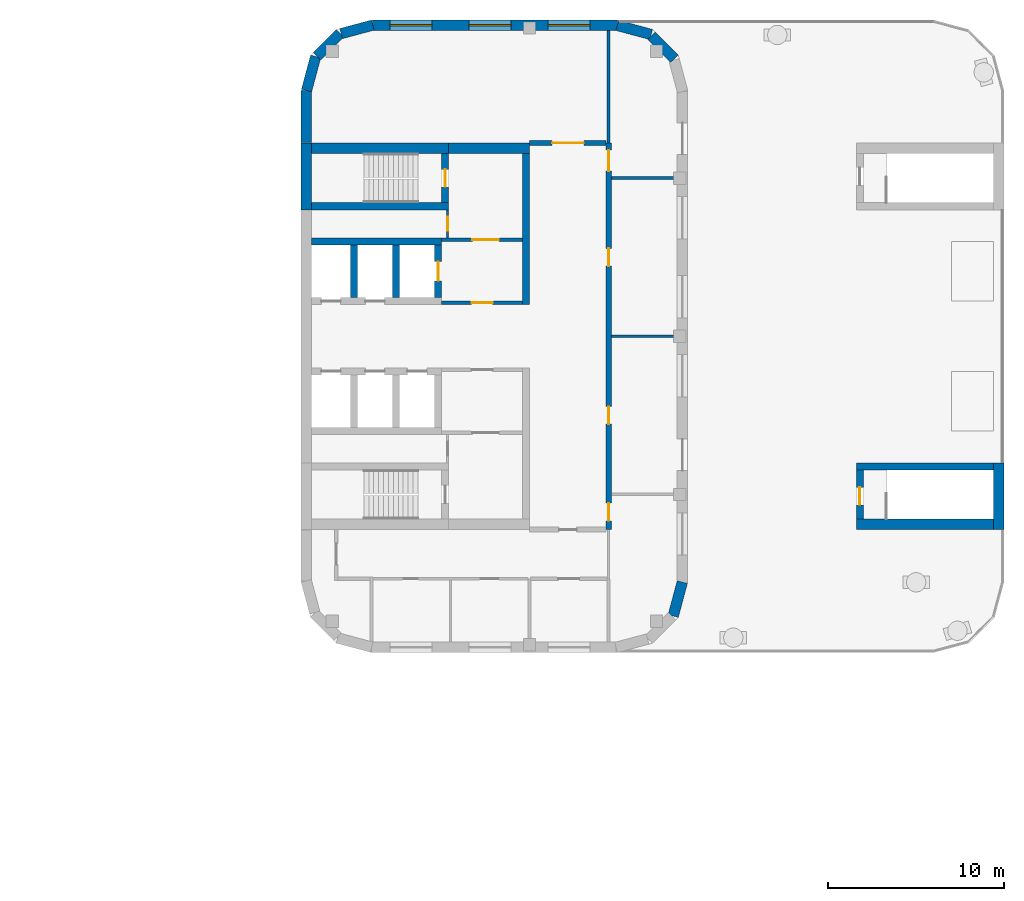
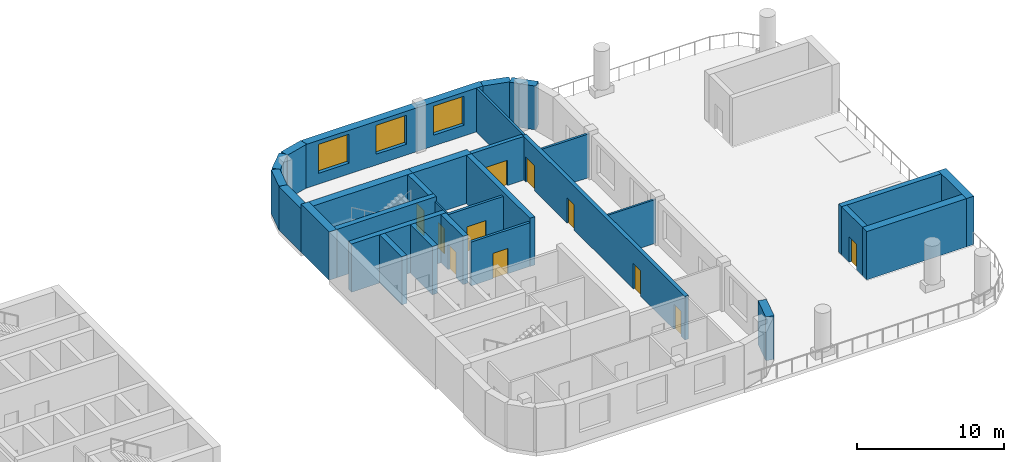
# One storey, part 8 of 14: 30 walls, 11 doors, 3 windows, 14 openings.
"""IFC4 building model written with IfcOpenShell, lengths in metres."""

from ifc_helpers import new_model, si_unit, direction, frame, frame_2d, origin, place, context, subcontext, project, spatial, rectangle, extrude, material, layer, layer_set, type_object, element, fill, save


model = new_model("IFC4")

# Units and contexts
model_context = context("Model", 3, precision=1e-05, world=origin(), true_north=direction((0.0, 1.0)))
body_context = subcontext(model_context, "Body", "Model", "MODEL_VIEW")
ifc_project = project(units=[si_unit("LENGTHUNIT", "METRE"), si_unit("AREAUNIT", "SQUARE_METRE"), si_unit("VOLUMEUNIT", "CUBIC_METRE"), si_unit("PLANEANGLEUNIT", "RADIAN"), si_unit("MASSUNIT", "GRAM", prefix="KILO")], contexts=[model_context])

# Site, building, storey
site_placement = place(None, origin())
site = spatial("IfcSite", under=ifc_project, at=site_placement, CompositionType="ELEMENT")
building_placement = place(site_placement, origin())
building = spatial("IfcBuilding", under=site, at=building_placement, Name="Skarvind Civic Tower", CompositionType="ELEMENT")
storey_placement = place(building_placement, frame((0.0, 0.0, 89.0)))
storey = spatial("IfcBuildingStorey", under=building, at=storey_placement, Name="L20", CompositionType="ELEMENT", Elevation=89.0)

# Walls
ifc_material_1 = material(Name="Acoustic gypsum board on steel studs", Category="steel")
ifc_layer_1 = layer(ifc_material_1, 0.175048828125)
ifc_layer_set_1 = layer_set([ifc_layer_1], Name="ACOUSTIC MEETING-ROOM PARTITION 175")
wall_type_1 = type_object("IfcWallType", Name="ACOUSTIC MEETING-ROOM PARTITION 175", PredefinedType="PARTITIONING", material=ifc_layer_set_1)
wall_1_placement = place(storey_placement, frame((144.64990234375, 137.0, 0.0), z_axis=(0.0, 0.0, 1.0), x_axis=(1.0, 0.0, 0.0)))
element("IfcWall", 1, at=wall_1_placement, inside=storey, type_object=wall_type_1, Name="Partition 20.014", PredefinedType="PARTITIONING", context=body_context, shape_type="SweptSolid", body=[
    extrude(rectangle(XDim=3.75, YDim=0.175048828125, at=frame_2d((1.875, 0.0))), origin(), (0.0, 0.0, 1.0), 3.625),
])
wall_2_placement = place(storey_placement, frame((144.5, 145.39990234375, 0.0), z_axis=(0.0, 0.0, 1.0), x_axis=(0.0, -1.0, 0.0)))
element("IfcWall", 2, at=wall_2_placement, inside=storey, type_object=wall_type_1, Name="Partition 20.016", PredefinedType="PARTITIONING", context=body_context, shape_type="SweptSolid", body=[
    extrude(rectangle(XDim=6.39990234375, YDim=0.175048828125, at=frame_2d((3.199951171875, 0.0))), origin(), (0.0, 0.0, 1.0), 3.625),
])

# Wall, opening, door
ifc_material_2 = material(Name="Fire-rated gypsum board on steel studs", Category="steel")
ifc_layer_2 = layer(ifc_material_2, 0.300048828125)
ifc_layer_set_2 = layer_set([ifc_layer_2], Name="CORRIDOR WALL 300")
wall_type_2 = type_object("IfcWallType", Name="CORRIDOR WALL 300", PredefinedType="PARTITIONING", material=ifc_layer_set_2)
wall_3_placement = place(storey_placement, frame((140.0, 139.0, 0.0), z_axis=(0.0, 0.0, 1.0), x_axis=(1.0, 0.0, 0.0)))
wall_3 = element("IfcWall", 3, at=wall_3_placement, inside=storey, type_object=wall_type_2, Name="Partition 20.008", PredefinedType="PARTITIONING", context=body_context, shape_type="SweptSolid", body=[
    extrude(rectangle(XDim=4.35009765625, YDim=0.300048828125, at=frame_2d((2.175048828125, 0.0))), origin(), (0.0, 0.0, 1.0), 3.625),
])
opening_1_placement = place(wall_3_placement, frame((1.283447265625, 0.0, 0.0)))
opening_1 = element("IfcOpeningElement", 4, at=opening_1_placement, cuts=wall_3, Name="Opening L20-D105", PredefinedType="OPENING", context=body_context, shape_type="SweptSolid", body=[
    extrude(rectangle(XDim=1.800048828125, YDim=2.10009765625, at=frame_2d((0.89990234375, 1.050048828125))), frame((0.0, 0.159912109375, 0.0), z_axis=(0.0, -1.0, 0.0), x_axis=(1.0, 0.0, 0.0)), (0.0, 0.0, 1.0), 0.320068359375),
])
ifc_material_3 = material(Name="Fire-rated timber door leaf", Category="wood")
door_type_1 = type_object("IfcDoorType", Name="FD4 1800x2100", OperationType="NOTDEFINED", PredefinedType="DOOR", material=ifc_material_3)
door_1_placement = place(opening_1_placement, origin())
door_1 = element("IfcDoor", 5, at=door_1_placement, inside=storey, type_object=door_type_1, Name="Door L20-D105", OperationType="DOUBLE_DOOR_SINGLE_SWING", OverallHeight=2.10009765625, OverallWidth=1.800048828125, PredefinedType="DOOR", context=body_context, shape_type="SweptSolid", body=[
    extrude(rectangle(XDim=1.800048828125, YDim=2.10009765625, at=frame_2d((0.89990234375, 1.050048828125))), frame((0.0, 0.02490234375, 0.0), z_axis=(0.0, -1.0, 0.0), x_axis=(1.0, 0.0, 0.0)), (0.0, 0.0, 1.0), 0.050048828125),
])
fill(opening_1, door_1)

# Wall, openings, doors
wall_4_placement = place(storey_placement, frame((144.5, 139.0, 0.0), z_axis=(0.0, 0.0, 1.0), x_axis=(0.0, -1.0, 0.0)))
wall_4 = element("IfcWall", 6, at=wall_4_placement, inside=storey, type_object=wall_type_2, Name="Partition 20.015", PredefinedType="PARTITIONING", context=body_context, shape_type="SweptSolid", body=[
    extrude(rectangle(XDim=22.0, YDim=0.300048828125, at=frame_2d((11.0, 0.0))), origin(), (0.0, 0.0, 1.0), 3.625),
])
opening_2_placement = place(wall_4_placement, frame((20.50146484375, 0.0, 0.0)))
opening_2 = element("IfcOpeningElement", 7, at=opening_2_placement, cuts=wall_4, Name="Opening L20-D101", PredefinedType="OPENING", context=body_context, shape_type="SweptSolid", body=[
    extrude(rectangle(XDim=1.0, YDim=2.10009765625, at=frame_2d((0.5, 1.050048828125))), frame((0.0, 0.159912109375, 0.0), z_axis=(0.0, -1.0, 0.0), x_axis=(1.0, 0.0, 0.0)), (0.0, 0.0, 1.0), 0.320068359375),
])
opening_3_placement = place(wall_4_placement, frame((15.0, 0.0, 0.0)))
opening_3 = element("IfcOpeningElement", 8, at=opening_3_placement, cuts=wall_4, Name="Opening L20-D102", PredefinedType="OPENING", context=body_context, shape_type="SweptSolid", body=[
    extrude(rectangle(XDim=1.0, YDim=2.10009765625, at=frame_2d((0.5, 1.050048828125))), frame((0.0, 0.159912109375, 0.0), z_axis=(0.0, -1.0, 0.0), x_axis=(1.0, 0.0, 0.0)), (0.0, 0.0, 1.0), 0.320068359375),
])
opening_4_placement = place(wall_4_placement, frame((6.0, 0.0, 0.0)))
opening_4 = element("IfcOpeningElement", 9, at=opening_4_placement, cuts=wall_4, Name="Opening L20-D103", PredefinedType="OPENING", context=body_context, shape_type="SweptSolid", body=[
    extrude(rectangle(XDim=1.0, YDim=2.10009765625, at=frame_2d((0.5, 1.050048828125))), frame((0.0, 0.159912109375, 0.0), z_axis=(0.0, -1.0, 0.0), x_axis=(1.0, 0.0, 0.0)), (0.0, 0.0, 1.0), 0.320068359375),
])
opening_5_placement = place(wall_4_placement, frame((0.3984375, 0.0, 0.0)))
opening_5 = element("IfcOpeningElement", 10, at=opening_5_placement, cuts=wall_4, Name="Opening L20-D104", PredefinedType="OPENING", context=body_context, shape_type="SweptSolid", body=[
    extrude(rectangle(XDim=1.199951171875, YDim=2.10009765625, at=frame_2d((0.60009765625, 1.050048828125))), frame((0.0, 0.159912109375, 0.0), z_axis=(0.0, -1.0, 0.0), x_axis=(1.0, 0.0, 0.0)), (0.0, 0.0, 1.0), 0.320068359375),
])
door_type_2 = type_object("IfcDoorType", Name="FD1 1000x2100", OperationType="NOTDEFINED", PredefinedType="DOOR", material=ifc_material_3)
door_2_placement = place(opening_2_placement, origin())
door_2 = element("IfcDoor", 11, at=door_2_placement, inside=storey, type_object=door_type_2, Name="Door L20-D101", OperationType="SINGLE_SWING_LEFT", OverallHeight=2.10009765625, OverallWidth=1.0, PredefinedType="DOOR", context=body_context, shape_type="SweptSolid", body=[
    extrude(rectangle(XDim=1.0, YDim=2.10009765625, at=frame_2d((0.5, 1.050048828125))), frame((0.0, 0.02490234375, 0.0), z_axis=(0.0, -1.0, 0.0), x_axis=(1.0, 0.0, 0.0)), (0.0, 0.0, 1.0), 0.050048828125),
])
fill(opening_2, door_2)
door_3_placement = place(opening_3_placement, origin())
door_3 = element("IfcDoor", 12, at=door_3_placement, inside=storey, type_object=door_type_2, Name="Door L20-D102", OperationType="SINGLE_SWING_LEFT", OverallHeight=2.10009765625, OverallWidth=1.0, PredefinedType="DOOR", context=body_context, shape_type="SweptSolid", body=[
    extrude(rectangle(XDim=1.0, YDim=2.10009765625, at=frame_2d((0.5, 1.050048828125))), frame((0.0, 0.02490234375, 0.0), z_axis=(0.0, -1.0, 0.0), x_axis=(1.0, 0.0, 0.0)), (0.0, 0.0, 1.0), 0.050048828125),
])
fill(opening_3, door_3)
door_4_placement = place(opening_4_placement, origin())
door_4 = element("IfcDoor", 13, at=door_4_placement, inside=storey, type_object=door_type_2, Name="Door L20-D103", OperationType="SINGLE_SWING_LEFT", OverallHeight=2.10009765625, OverallWidth=1.0, PredefinedType="DOOR", context=body_context, shape_type="SweptSolid", body=[
    extrude(rectangle(XDim=1.0, YDim=2.10009765625, at=frame_2d((0.5, 1.050048828125))), frame((0.0, 0.02490234375, 0.0), z_axis=(0.0, -1.0, 0.0), x_axis=(1.0, 0.0, 0.0)), (0.0, 0.0, 1.0), 0.050048828125),
])
fill(opening_4, door_4)
door_type_3 = type_object("IfcDoorType", Name="FD6 1200x2100 DOUBLE", OperationType="NOTDEFINED", PredefinedType="DOOR", material=ifc_material_3)
door_5_placement = place(opening_5_placement, origin())
door_5 = element("IfcDoor", 14, at=door_5_placement, inside=storey, type_object=door_type_3, Name="Door L20-D104", OperationType="DOUBLE_DOOR_SINGLE_SWING", OverallHeight=2.10009765625, OverallWidth=1.199951171875, PredefinedType="DOOR", context=body_context, shape_type="SweptSolid", body=[
    extrude(rectangle(XDim=1.199951171875, YDim=2.10009765625, at=frame_2d((0.60009765625, 1.050048828125))), frame((0.0, 0.02490234375, 0.0), z_axis=(0.0, -1.0, 0.0), x_axis=(1.0, 0.0, 0.0)), (0.0, 0.0, 1.0), 0.050048828125),
])
fill(opening_5, door_5)

# Wall, opening, door
ifc_material_4 = material(Name="Fire-rated masonry partition", Category="masonry")
ifc_layer_3 = layer(ifc_material_4, 0.199951171875)
ifc_layer_set_3 = layer_set([ifc_layer_3], Name="Core enclosure wall 200")
wall_type_3 = type_object("IfcWallType", Name="Core enclosure wall 200", PredefinedType="PARTITIONING", material=ifc_layer_set_3)
wall_5_placement = place(storey_placement, frame((135.0, 129.89990234375, 0.0), z_axis=(0.0, 0.0, 1.0), x_axis=(1.0, 0.0, 0.0)))
wall_5 = element("IfcWall", 15, at=wall_5_placement, inside=storey, type_object=wall_type_3, Name="Core wall CA", PredefinedType="PARTITIONING", context=body_context, shape_type="SweptSolid", body=[
    extrude(rectangle(XDim=4.60009765625, YDim=0.199951171875, at=frame_2d((2.300048828125, 0.0))), origin(), (0.0, 0.0, 1.0), 3.625),
])
opening_6_placement = place(wall_5_placement, frame((1.699951171875, 0.0, 0.0)))
opening_6 = element("IfcOpeningElement", 16, at=opening_6_placement, cuts=wall_5, Name="Opening D-L20-CA-06", PredefinedType="OPENING", context=body_context, shape_type="SweptSolid", body=[
    extrude(rectangle(XDim=1.199951171875, YDim=2.10009765625, at=frame_2d((0.60009765625, 1.050048828125))), frame((0.0, 0.10986328125, 0.0), z_axis=(0.0, -1.0, 0.0), x_axis=(1.0, 0.0, 0.0)), (0.0, 0.0, 1.0), 0.219970703125),
])
ifc_material_5 = material(Name="Fire-rated steel door", Category="steel")
door_type_4 = type_object("IfcDoorType", Name="Core lobby door 1200", OperationType="NOTDEFINED", PredefinedType="DOOR", material=ifc_material_5)
door_6_placement = place(opening_6_placement, origin())
door_6 = element("IfcDoor", 17, at=door_6_placement, inside=storey, type_object=door_type_4, Name="Fire door", OperationType="DOUBLE_DOOR_SINGLE_SWING", OverallHeight=2.10009765625, OverallWidth=1.199951171875, PredefinedType="DOOR", context=body_context, shape_type="SweptSolid", body=[
    extrude(rectangle(XDim=1.199951171875, YDim=2.10009765625, at=frame_2d((0.60009765625, 1.050048828125))), frame((0.0, 0.02490234375, 0.0), z_axis=(0.0, -1.0, 0.0), x_axis=(1.0, 0.0, 0.0)), (0.0, 0.0, 1.0), 0.050048828125),
])
fill(opening_6, door_6)

wall_6_placement = place(storey_placement, frame((135.0, 133.5, 0.0), z_axis=(0.0, 0.0, 1.0), x_axis=(1.0, 0.0, 0.0)))
wall_6 = element("IfcWall", 18, at=wall_6_placement, inside=storey, type_object=wall_type_3, Name="Core wall CA", PredefinedType="PARTITIONING", context=body_context, shape_type="SweptSolid", body=[
    extrude(rectangle(XDim=4.60009765625, YDim=0.199951171875, at=frame_2d((2.300048828125, 0.0))), origin(), (0.0, 0.0, 1.0), 3.625),
])
opening_7_placement = place(wall_6_placement, frame((1.75, 0.0, 0.0)))
opening_7 = element("IfcOpeningElement", 19, at=opening_7_placement, cuts=wall_6, Name="Opening D-L20-CA-07", PredefinedType="OPENING", context=body_context, shape_type="SweptSolid", body=[
    extrude(rectangle(XDim=1.5, YDim=2.10009765625, at=frame_2d((0.75, 1.050048828125))), frame((0.0, 0.10986328125, 0.0), z_axis=(0.0, -1.0, 0.0), x_axis=(1.0, 0.0, 0.0)), (0.0, 0.0, 1.0), 0.219970703125),
])
door_type_5 = type_object("IfcDoorType", Name="Fire door 1500", OperationType="NOTDEFINED", PredefinedType="DOOR", material=ifc_material_5)
door_7_placement = place(opening_7_placement, origin())
door_7 = element("IfcDoor", 20, at=door_7_placement, inside=storey, type_object=door_type_5, Name="Fire door", OperationType="DOUBLE_DOOR_SINGLE_SWING", OverallHeight=2.10009765625, OverallWidth=1.5, PredefinedType="DOOR", context=body_context, shape_type="SweptSolid", body=[
    extrude(rectangle(XDim=1.5, YDim=2.10009765625, at=frame_2d((0.75, 1.050048828125))), frame((0.0, 0.02490234375, 0.0), z_axis=(0.0, -1.0, 0.0), x_axis=(1.0, 0.0, 0.0)), (0.0, 0.0, 1.0), 0.050048828125),
])
fill(opening_7, door_7)

# Wall
ifc_material_6 = material(Name="Concrete C80", Category="concrete")
ifc_layer_4 = layer(ifc_material_6, 0.39990234375)
ifc_layer_set_4 = layer_set([ifc_layer_4], Name="Core wall 400 C80")
wall_type_4 = type_object("IfcWallType", Name="Core wall 400 C80", PredefinedType="SHEAR", material=ifc_layer_set_4)
wall_7_placement = place(storey_placement, frame((127.60009765625, 135.39990234375, 0.0), z_axis=(0.0, 0.0, 1.0), x_axis=(1.0, 0.0, 0.0)))
element("IfcWall", 21, at=wall_7_placement, inside=storey, type_object=wall_type_4, Name="Core wall CA north stair inner L20", PredefinedType="SHEAR", context=body_context, shape_type="SweptSolid", body=[
    extrude(rectangle(XDim=7.7998046875, YDim=0.39990234375, at=frame_2d((3.89990234375, 0.0))), origin(), (0.0, 0.0, 1.0), 4.0),
])

# Wall, opening, door
wall_8_placement = place(storey_placement, frame((135.199951171875, 135.60009765625, 0.0), z_axis=(0.0, 0.0, 1.0), x_axis=(0.0, 1.0, 0.0)))
wall_8 = element("IfcWall", 22, at=wall_8_placement, inside=storey, type_object=wall_type_4, Name="Core wall CA north stair end L20", PredefinedType="SHEAR", context=body_context, shape_type="SweptSolid", body=[
    extrude(rectangle(XDim=2.7998046875, YDim=0.39990234375, at=frame_2d((1.39990234375, 0.0))), origin(), (0.0, 0.0, 1.0), 4.0),
])
opening_8_placement = place(wall_8_placement, frame((0.89990234375, 0.0, 0.0)))
opening_8 = element("IfcOpeningElement", 23, at=opening_8_placement, cuts=wall_8, Name="Opening D-L20-CA-08", PredefinedType="OPENING", context=body_context, shape_type="SweptSolid", body=[
    extrude(rectangle(XDim=1.0, YDim=2.10009765625, at=frame_2d((0.5, 1.050048828125))), frame((0.0, 0.2099609375, 0.0), z_axis=(0.0, -1.0, 0.0), x_axis=(1.0, 0.0, 0.0)), (0.0, 0.0, 1.0), 0.419921875),
])
door_type_6 = type_object("IfcDoorType", Name="Fire door 1000", OperationType="NOTDEFINED", PredefinedType="DOOR", material=ifc_material_5)
door_8_placement = place(opening_8_placement, origin())
door_8 = element("IfcDoor", 24, at=door_8_placement, inside=storey, type_object=door_type_6, Name="Fire door", OperationType="SINGLE_SWING_LEFT", OverallHeight=2.10009765625, OverallWidth=1.0, PredefinedType="DOOR", context=body_context, shape_type="SweptSolid", body=[
    extrude(rectangle(XDim=1.0, YDim=2.10009765625, at=frame_2d((0.5, 1.050048828125))), frame((0.0, 0.02490234375, 0.0), z_axis=(0.0, -1.0, 0.0), x_axis=(1.0, 0.0, 0.0)), (0.0, 0.0, 1.0), 0.050048828125),
])
fill(opening_8, door_8)

# Walls
wall_9_placement = place(storey_placement, frame((127.60009765625, 133.39990234375, 0.0), z_axis=(0.0, 0.0, 1.0), x_axis=(1.0, 0.0, 0.0)))
element("IfcWall", 25, at=wall_9_placement, inside=storey, type_object=wall_type_4, Name="Core wall CA north lift row back L20", PredefinedType="SHEAR", context=body_context, shape_type="SweptSolid", body=[
    extrude(rectangle(XDim=7.39990234375, YDim=0.39990234375, at=frame_2d((3.699951171875, 0.0))), origin(), (0.0, 0.0, 1.0), 4.0),
])
for number, where, z_axis, x_axis, name in (
    (26, (130.0, 130.199951171875, 0.0), (0.0, 0.0, 1.0), (0.0, 1.0, 0.0), "Core wall CA north lift row division 1 L20"),
    (27, (132.39990234375, 130.199951171875, 0.0), (0.0, 0.0, 1.0), (0.0, 1.0, 0.0), "Core wall CA north lift row division 2 L20"),
):
    element("IfcWall", number, at=place(storey_placement, frame(where, z_axis=z_axis, x_axis=x_axis)), inside=storey, type_object=wall_type_4, Name=name, PredefinedType="SHEAR", context=body_context, shape_type="SweptSolid", body=[
        extrude(rectangle(XDim=3.0, YDim=0.39990234375, at=frame_2d((1.5, 0.0))), origin(), (0.0, 0.0, 1.0), 4.0),
    ])

# Wall, opening, door
wall_10_placement = place(storey_placement, frame((134.800048828125, 130.199951171875, 0.0), z_axis=(0.0, 0.0, 1.0), x_axis=(0.0, 1.0, 0.0)))
wall_10 = element("IfcWall", 28, at=wall_10_placement, inside=storey, type_object=wall_type_4, Name="Core wall CA north lift row division 3 L20", PredefinedType="SHEAR", context=body_context, shape_type="SweptSolid", body=[
    extrude(rectangle(XDim=3.0, YDim=0.39990234375, at=frame_2d((1.5, 0.0))), origin(), (0.0, 0.0, 1.0), 4.0),
])
opening_9_placement = place(wall_10_placement, frame((0.949951171875, 0.0, 0.0)))
opening_9 = element("IfcOpeningElement", 29, at=opening_9_placement, cuts=wall_10, Name="Opening LD22303", PredefinedType="OPENING", context=body_context, shape_type="SweptSolid", body=[
    extrude(rectangle(XDim=1.10009765625, YDim=2.10009765625, at=frame_2d((0.550048828125, 1.050048828125))), frame((0.0, 0.2099609375, 0.0), z_axis=(0.0, -1.0, 0.0), x_axis=(1.0, 0.0, 0.0)), (0.0, 0.0, 1.0), 0.419921875),
])
ifc_material_7 = material(Name="Stainless steel landing door", Category="steel")
door_type_7 = type_object("IfcDoorType", Name="Lift landing door 1100", OperationType="DOUBLE_DOOR_SLIDING", PredefinedType="DOOR", material=ifc_material_7)
door_9_placement = place(opening_9_placement, origin())
door_9 = element("IfcDoor", 30, at=door_9_placement, inside=storey, type_object=door_type_7, Name="Lift landing door", OperationType="DOUBLE_DOOR_SLIDING", OverallHeight=2.10009765625, OverallWidth=1.10009765625, PredefinedType="DOOR", context=body_context, shape_type="SweptSolid", body=[
    extrude(rectangle(XDim=1.10009765625, YDim=2.10009765625, at=frame_2d((0.550048828125, 1.050048828125))), frame((0.0, 0.02490234375, 0.0), z_axis=(0.0, -1.0, 0.0), x_axis=(1.0, 0.0, 0.0)), (0.0, 0.0, 1.0), 0.050048828125),
])
fill(opening_9, door_9)

# Walls
wall_11_placement = place(storey_placement, frame((139.800048828125, 129.800048828125, 0.0), z_axis=(0.0, 0.0, 1.0), x_axis=(0.0, 1.0, 0.0)))
element("IfcWall", 31, at=wall_11_placement, inside=storey, type_object=wall_type_4, Name="Core wall CA north inner face L20", PredefinedType="SHEAR", context=body_context, shape_type="SweptSolid", body=[
    extrude(rectangle(XDim=8.599853515625, YDim=0.39990234375, at=frame_2d((4.2998046875, 0.0))), origin(), (0.0, 0.0, 1.0), 4.0),
])
wall_12_placement = place(storey_placement, frame((166.39990234375, 120.60009765625, 0.0), z_axis=(0.0, 0.0, 1.0), x_axis=(-1.0, 0.0, 0.0)))
element("IfcWall", 32, at=wall_12_placement, inside=storey, type_object=wall_type_4, Name="Core wall CB north stair head-house inner L20", PredefinedType="SHEAR", context=body_context, shape_type="SweptSolid", body=[
    extrude(rectangle(XDim=7.7998046875, YDim=0.39990234375, at=frame_2d((3.89990234375, 0.0))), origin(), (0.0, 0.0, 1.0), 4.0),
])

# Wall, opening, door
wall_13_placement = place(storey_placement, frame((158.800048828125, 120.39990234375, 0.0), z_axis=(0.0, 0.0, 1.0), x_axis=(0.0, -1.0, 0.0)))
wall_13 = element("IfcWall", 33, at=wall_13_placement, inside=storey, type_object=wall_type_4, Name="Core wall CB north stair head-house end L20", PredefinedType="SHEAR", context=body_context, shape_type="SweptSolid", body=[
    extrude(rectangle(XDim=2.7998046875, YDim=0.39990234375, at=frame_2d((1.39990234375, 0.0))), origin(), (0.0, 0.0, 1.0), 4.0),
])
opening_10_placement = place(wall_13_placement, frame((1.0, 0.0, 0.0)))
opening_10 = element("IfcOpeningElement", 34, at=opening_10_placement, cuts=wall_13, Name="Opening D-L20-CB-02", PredefinedType="OPENING", context=body_context, shape_type="SweptSolid", body=[
    extrude(rectangle(XDim=1.0, YDim=2.10009765625, at=frame_2d((0.5, 1.050048828125))), frame((0.0, 0.2099609375, 0.0), z_axis=(0.0, -1.0, 0.0), x_axis=(1.0, 0.0, 0.0)), (0.0, 0.0, 1.0), 0.419921875),
])
door_10_placement = place(opening_10_placement, origin())
door_10 = element("IfcDoor", 35, at=door_10_placement, inside=storey, type_object=door_type_6, Name="Roof door", OperationType="SINGLE_SWING_LEFT", OverallHeight=2.10009765625, OverallWidth=1.0, PredefinedType="DOOR", context=body_context, shape_type="SweptSolid", body=[
    extrude(rectangle(XDim=1.0, YDim=2.10009765625, at=frame_2d((0.5, 1.050048828125))), frame((0.0, 0.02490234375, 0.0), z_axis=(0.0, -1.0, 0.0), x_axis=(1.0, 0.0, 0.0)), (0.0, 0.0, 1.0), 0.050048828125),
])
fill(opening_10, door_10)

# Walls
ifc_layer_5 = layer(ifc_material_6, 0.60009765625)
ifc_layer_set_5 = layer_set([ifc_layer_5], Name="Core wall 600 C80")
wall_type_5 = type_object("IfcWallType", Name="Core wall 600 C80", PredefinedType="SHEAR", material=ifc_layer_set_5)
wall_14_placement = place(storey_placement, frame((127.300048828125, 135.199951171875, 0.0), z_axis=(0.0, 0.0, 1.0), x_axis=(0.0, 1.0, 0.0)))
element("IfcWall", 36, at=wall_14_placement, inside=storey, type_object=wall_type_5, Name="Core wall CA tip at the north stair L20", PredefinedType="SHEAR", context=body_context, shape_type="SweptSolid", body=[
    extrude(rectangle(XDim=3.800048828125, YDim=0.60009765625, at=frame_2d((1.89990234375, 0.0))), origin(), (0.0, 0.0, 1.0), 4.0),
])
wall_15_placement = place(storey_placement, frame((127.60009765625, 138.699951171875, 0.0), z_axis=(0.0, 0.0, 1.0), x_axis=(1.0, 0.0, 0.0)))
element("IfcWall", 37, at=wall_15_placement, inside=storey, type_object=wall_type_5, Name="Core wall CA north side at the stair L20", PredefinedType="SHEAR", context=body_context, shape_type="SweptSolid", body=[
    extrude(rectangle(XDim=7.7998046875, YDim=0.60009765625, at=frame_2d((3.89990234375, 0.0))), origin(), (0.0, 0.0, 1.0), 4.0),
])
wall_16_placement = place(storey_placement, frame((135.39990234375, 138.699951171875, 0.0), z_axis=(0.0, 0.0, 1.0), x_axis=(1.0, 0.0, 0.0)))
element("IfcWall", 38, at=wall_16_placement, inside=storey, type_object=wall_type_5, Name="Core wall CA north side L20", PredefinedType="SHEAR", context=body_context, shape_type="SweptSolid", body=[
    extrude(rectangle(XDim=4.60009765625, YDim=0.60009765625, at=frame_2d((2.300048828125, 0.0))), origin(), (0.0, 0.0, 1.0), 4.0),
])
wall_17_placement = place(storey_placement, frame((166.699951171875, 120.800048828125, 0.0), z_axis=(0.0, 0.0, 1.0), x_axis=(0.0, -1.0, 0.0)))
element("IfcWall", 39, at=wall_17_placement, inside=storey, type_object=wall_type_5, Name="Core wall CB north stair head-house tip L20", PredefinedType="SHEAR", context=body_context, shape_type="SweptSolid", body=[
    extrude(rectangle(XDim=3.800048828125, YDim=0.60009765625, at=frame_2d((1.89990234375, 0.0))), origin(), (0.0, 0.0, 1.0), 4.0),
])
wall_18_placement = place(storey_placement, frame((166.39990234375, 117.300048828125, 0.0), z_axis=(0.0, 0.0, 1.0), x_axis=(-1.0, 0.0, 0.0)))
element("IfcWall", 40, at=wall_18_placement, inside=storey, type_object=wall_type_5, Name="Core wall CB north stair head-house side L20", PredefinedType="SHEAR", context=body_context, shape_type="SweptSolid", body=[
    extrude(rectangle(XDim=7.7998046875, YDim=0.60009765625, at=frame_2d((3.89990234375, 0.0))), origin(), (0.0, 0.0, 1.0), 4.0),
])
ifc_material_8 = material(Name="Plasterboard partition on steel studs", Category="steel")
ifc_layer_6 = layer(ifc_material_8, 0.14990234375)
ifc_layer_set_6 = layer_set([ifc_layer_6], Name="PARTITION 150")
wall_type_6 = type_object("IfcWallType", Name="PARTITION 150", PredefinedType="PARTITIONING", material=ifc_layer_set_6)
wall_19_placement = place(storey_placement, frame((144.64990234375, 128.0, 0.0), z_axis=(0.0, 0.0, 1.0), x_axis=(1.0, 0.0, 0.0)))
element("IfcWall", 41, at=wall_19_placement, inside=storey, type_object=wall_type_6, Name="Partition 20.013", PredefinedType="PARTITIONING", context=body_context, shape_type="SweptSolid", body=[
    extrude(rectangle(XDim=3.75, YDim=0.14990234375, at=frame_2d((1.875, 0.0))), origin(), (0.0, 0.0, 1.0), 3.625),
])

# Wall, opening, door
ifc_layer_7 = layer(ifc_material_4, 0.125)
ifc_layer_set_7 = layer_set([ifc_layer_7], Name="Riser wall 125")
wall_type_7 = type_object("IfcWallType", Name="Riser wall 125", PredefinedType="PARTITIONING", material=ifc_layer_set_7)
wall_20_placement = place(storey_placement, frame((135.33740234375, 135.199951171875, 0.0), z_axis=(0.0, 0.0, 1.0), x_axis=(0.0, -1.0, 0.0)))
wall_20 = element("IfcWall", 42, at=wall_20_placement, inside=storey, type_object=wall_type_7, Name="Core wall CA", PredefinedType="PARTITIONING", context=body_context, shape_type="SweptSolid", body=[
    extrude(rectangle(XDim=1.599853515625, YDim=0.125, at=frame_2d((0.7998046875, 0.0))), origin(), (0.0, 0.0, 1.0), 3.625),
])
opening_11_placement = place(wall_20_placement, frame((0.39990234375, 0.0, 0.0)))
opening_11 = element("IfcOpeningElement", 43, at=opening_11_placement, cuts=wall_20, Name="Opening D-L20-CA-09", PredefinedType="OPENING", context=body_context, shape_type="SweptSolid", body=[
    extrude(rectangle(XDim=0.800048828125, YDim=2.10009765625, at=frame_2d((0.39990234375, 1.050048828125))), frame((0.0, 0.072509765625, 0.0), z_axis=(0.0, -1.0, 0.0), x_axis=(1.0, 0.0, 0.0)), (0.0, 0.0, 1.0), 0.14501953125),
])
door_type_8 = type_object("IfcDoorType", Name="Core riser door 800", OperationType="NOTDEFINED", PredefinedType="DOOR", material=ifc_material_5)
door_11_placement = place(opening_11_placement, origin())
door_11 = element("IfcDoor", 44, at=door_11_placement, inside=storey, type_object=door_type_8, Name="Riser door", OperationType="SINGLE_SWING_RIGHT", OverallHeight=2.10009765625, OverallWidth=0.800048828125, PredefinedType="DOOR", context=body_context, shape_type="SweptSolid", body=[
    extrude(rectangle(XDim=0.800048828125, YDim=2.10009765625, at=frame_2d((0.39990234375, 1.050048828125))), frame((0.0, 0.02490234375, 0.0), z_axis=(0.0, -1.0, 0.0), x_axis=(1.0, 0.0, 0.0)), (0.0, 0.0, 1.0), 0.050048828125),
])
fill(opening_11, door_11)

# Wall, openings, windows
ifc_material_9 = material(Name="Limestone masonry cladding on insulated backing", Category="masonry")
ifc_layer_8 = layer(ifc_material_9, 0.60009765625)
ifc_layer_set_8 = layer_set([ifc_layer_8], Name="WX1 STONE FACADE WALL 600")
wall_type_8 = type_object("IfcWallType", Name="WX1 STONE FACADE WALL 600", PredefinedType="SOLIDWALL", material=ifc_layer_set_8)
wall_21_placement = place(storey_placement, frame((131.070068359375, 145.699951171875, 0.0), z_axis=(0.0, 0.0, 1.0), x_axis=(1.0, 0.0, 0.0)))
wall_21 = element("IfcWall", 45, at=wall_21_placement, inside=storey, type_object=wall_type_8, Name="STONE FACADE WALL", PredefinedType="SOLIDWALL", context=body_context, shape_type="SweptSolid", body=[
    extrude(rectangle(XDim=13.929931640625, YDim=0.60009765625, at=frame_2d((6.96484375, 0.0))), origin(), (0.0, 0.0, 1.0), 3.625),
])
opening_12_placement = place(wall_21_placement, frame((0.97998046875, 0.0, 0.89990234375)))
opening_12 = element("IfcOpeningElement", 46, at=opening_12_placement, cuts=wall_21, Name="Opening WN9", PredefinedType="OPENING", context=body_context, shape_type="SweptSolid", body=[
    extrude(rectangle(XDim=2.39990234375, YDim=2.39990234375, at=frame_2d((1.199951171875, 1.199951171875))), frame((0.0, 0.31005859375, 0.0), z_axis=(0.0, -1.0, 0.0), x_axis=(1.0, 0.0, 0.0)), (0.0, 0.0, 1.0), 0.6201171875),
])
opening_13_placement = place(wall_21_placement, frame((5.47998046875, 0.0, 0.89990234375)))
opening_13 = element("IfcOpeningElement", 47, at=opening_13_placement, cuts=wall_21, Name="Opening WN9", PredefinedType="OPENING", context=body_context, shape_type="SweptSolid", body=[
    extrude(rectangle(XDim=2.39990234375, YDim=2.39990234375, at=frame_2d((1.199951171875, 1.199951171875))), frame((0.0, 0.31005859375, 0.0), z_axis=(0.0, -1.0, 0.0), x_axis=(1.0, 0.0, 0.0)), (0.0, 0.0, 1.0), 0.6201171875),
])
opening_14_placement = place(wall_21_placement, frame((9.97998046875, 0.0, 0.89990234375)))
opening_14 = element("IfcOpeningElement", 48, at=opening_14_placement, cuts=wall_21, Name="Opening WN9", PredefinedType="OPENING", context=body_context, shape_type="SweptSolid", body=[
    extrude(rectangle(XDim=2.39990234375, YDim=2.39990234375, at=frame_2d((1.199951171875, 1.199951171875))), frame((0.0, 0.31005859375, 0.0), z_axis=(0.0, -1.0, 0.0), x_axis=(1.0, 0.0, 0.0)), (0.0, 0.0, 1.0), 0.6201171875),
])
ifc_material_10 = material(Name="Timber frame, double glazing, timber-lined reveal", Category="wood")
window_type = type_object("IfcWindowType", Name="WN9 COMPANION TOWER WINDOW 2400 x 2400", PartitioningType="SINGLE_PANEL", PredefinedType="WINDOW", material=ifc_material_10)
window_1_placement = place(opening_12_placement, origin())
window_1 = element("IfcWindow", 49, at=window_1_placement, inside=storey, type_object=window_type, Name="WN9 WINDOW", OverallHeight=2.39990234375, OverallWidth=2.39990234375, PartitioningType="SINGLE_PANEL", PredefinedType="WINDOW", context=body_context, shape_type="SweptSolid", body=[
    extrude(rectangle(XDim=2.39990234375, YDim=2.39990234375, at=frame_2d((1.199951171875, 1.199951171875))), frame((0.0, 0.030029296875, 0.0), z_axis=(0.0, -1.0, 0.0), x_axis=(1.0, 0.0, 0.0)), (0.0, 0.0, 1.0), 0.06005859375),
])
fill(opening_12, window_1)
window_2_placement = place(opening_13_placement, origin())
window_2 = element("IfcWindow", 50, at=window_2_placement, inside=storey, type_object=window_type, Name="WN9 WINDOW", OverallHeight=2.39990234375, OverallWidth=2.39990234375, PartitioningType="SINGLE_PANEL", PredefinedType="WINDOW", context=body_context, shape_type="SweptSolid", body=[
    extrude(rectangle(XDim=2.39990234375, YDim=2.39990234375, at=frame_2d((1.199951171875, 1.199951171875))), frame((0.0, 0.030029296875, 0.0), z_axis=(0.0, -1.0, 0.0), x_axis=(1.0, 0.0, 0.0)), (0.0, 0.0, 1.0), 0.06005859375),
])
fill(opening_13, window_2)
window_3_placement = place(opening_14_placement, origin())
window_3 = element("IfcWindow", 51, at=window_3_placement, inside=storey, type_object=window_type, Name="WN9 WINDOW", OverallHeight=2.39990234375, OverallWidth=2.39990234375, PartitioningType="SINGLE_PANEL", PredefinedType="WINDOW", context=body_context, shape_type="SweptSolid", body=[
    extrude(rectangle(XDim=2.39990234375, YDim=2.39990234375, at=frame_2d((1.199951171875, 1.199951171875))), frame((0.0, 0.030029296875, 0.0), z_axis=(0.0, -1.0, 0.0), x_axis=(1.0, 0.0, 0.0)), (0.0, 0.0, 1.0), 0.06005859375),
])
fill(opening_14, window_3)

# Walls
for number, where, z_axis, x_axis, name in (
    (52, (129.280517578125, 145.228759765625, 0.0), (0.0, 0.0, 1.0), (0.965938094805, 0.258773254036, 0.0), "STONE FACADE WALL"),
    (53, (127.896484375, 143.936279296875, 0.0), (0.0, 0.0, 1.0), (0.707106781187, 0.707106781187, 0.0), "STONE FACADE WALL"),
):
    element("IfcWall", number, at=place(storey_placement, frame(where, z_axis=z_axis, x_axis=x_axis)), inside=storey, type_object=wall_type_8, Name=name, PredefinedType="SOLIDWALL", context=body_context, shape_type="SweptSolid", body=[
        extrude(rectangle(XDim=1.860595703125, YDim=0.60009765625, at=frame_2d((0.93017578125, 0.0))), origin(), (0.0, 0.0, 1.0), 3.625),
    ])
wall_22_placement = place(storey_placement, frame((127.307861328125, 141.989990234375, 0.0), z_axis=(0.0, 0.0, 1.0), x_axis=(0.258839784042, 0.965920269068, 0.0)))
element("IfcWall", 54, at=wall_22_placement, inside=storey, type_object=wall_type_8, Name="STONE FACADE WALL", PredefinedType="SOLIDWALL", context=body_context, shape_type="SweptSolid", body=[
    extrude(rectangle(XDim=2.00048828125, YDim=0.60009765625, at=frame_2d((1.000244140625, 0.0))), origin(), (0.0, 0.0, 1.0), 3.625),
])
wall_23_placement = place(storey_placement, frame((127.300048828125, 139.02001953125, 0.0), z_axis=(0.0, 0.0, 1.0), x_axis=(0.0, 1.0, 0.0)))
element("IfcWall", 55, at=wall_23_placement, inside=storey, type_object=wall_type_8, Name="STONE FACADE WALL", PredefinedType="SOLIDWALL", context=body_context, shape_type="SweptSolid", body=[
    extrude(rectangle(XDim=2.97998046875, YDim=0.60009765625, at=frame_2d((1.489990234375, 0.0))), origin(), (0.0, 0.0, 1.0), 3.625),
])
wall_24_placement = place(storey_placement, frame((148.692138671875, 114.010009765625, 0.0), z_axis=(0.0, 0.0, 1.0), x_axis=(-0.258839784042, -0.965920269068, 0.0)))
element("IfcWall", 56, at=wall_24_placement, inside=storey, type_object=wall_type_8, Name="STONE FACADE WALL", PredefinedType="SOLIDWALL", context=body_context, shape_type="SweptSolid", body=[
    extrude(rectangle(XDim=2.00048828125, YDim=0.60009765625, at=frame_2d((1.000244140625, 0.0))), origin(), (0.0, 0.0, 1.0), 3.625),
])
wall_25_placement = place(storey_placement, frame((146.936279296875, 145.103515625, 0.0), z_axis=(0.0, 0.0, 1.0), x_axis=(0.707106781187, -0.707106781187, 0.0)))
element("IfcWall", 57, at=wall_25_placement, inside=storey, type_object=wall_type_8, Name="STONE FACADE WALL", PredefinedType="SOLIDWALL", context=body_context, shape_type="SweptSolid", body=[
    extrude(rectangle(XDim=1.860595703125, YDim=0.60009765625, at=frame_2d((0.93017578125, 0.0))), origin(), (0.0, 0.0, 1.0), 3.625),
])
wall_26_placement = place(storey_placement, frame((144.989990234375, 145.692138671875, 0.0), z_axis=(0.0, 0.0, 1.0), x_axis=(0.965920269068, -0.258839784042, 0.0)))
element("IfcWall", 58, at=wall_26_placement, inside=storey, type_object=wall_type_8, Name="STONE FACADE WALL", PredefinedType="SOLIDWALL", context=body_context, shape_type="SweptSolid", body=[
    extrude(rectangle(XDim=2.00048828125, YDim=0.60009765625, at=frame_2d((1.000244140625, 0.0))), origin(), (0.0, 0.0, 1.0), 3.625),
])

save(model, "model.ifc")
